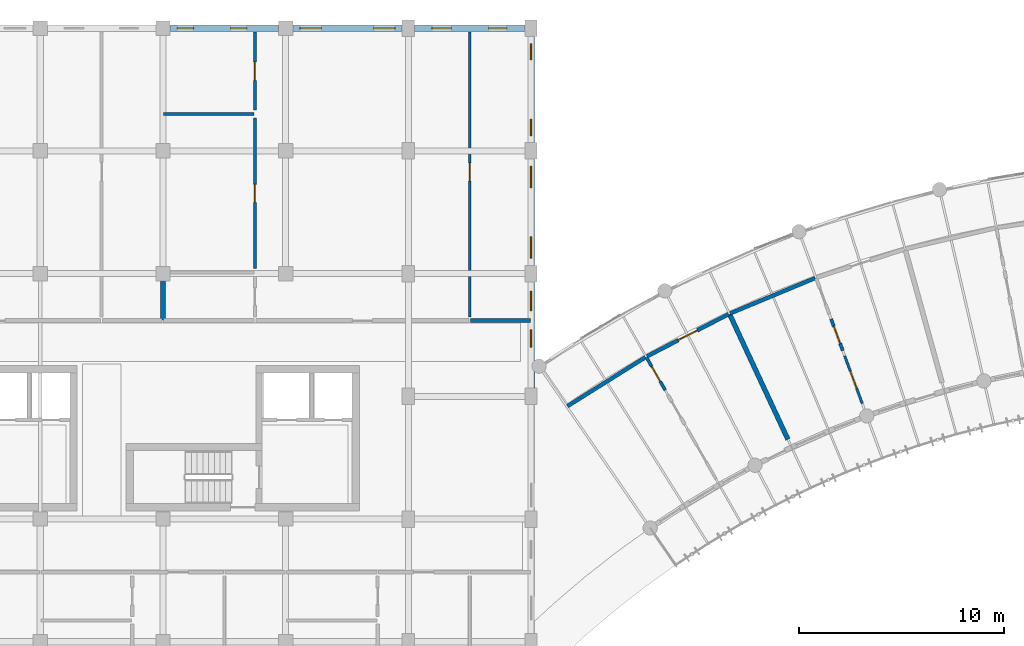
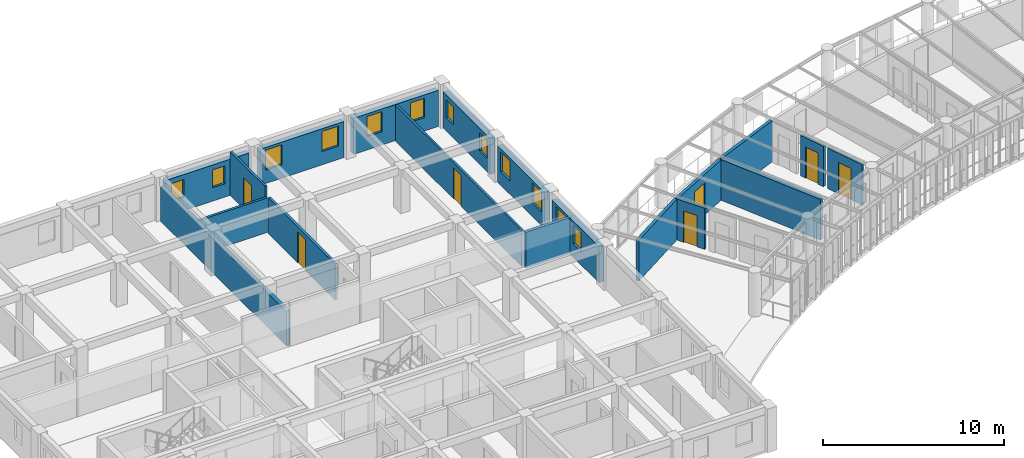
# One storey, part 105 of 137: 19 walls, 12 windows, 7 doors, 19 openings.
"""IFC4 building model written with IfcOpenShell, lengths in metres."""

import ifcopenshell
import ifcopenshell.guid

model = None  # the IFC model being written
_history = None  # IfcOwnerHistory: only IFC2X3 demands one
_inside = {}  # id of a spatial element -> (the spatial element, [elements in it])
_under = {}  # id of a project, library or spatial element -> (it, [spatial elements below it])
_declared = {}  # id of a project -> (the project, [libraries it declares])
_typed = {}  # id of a type object -> (the type object, [elements of that type])
_made_of = {}  # id of a material, layer set ... -> (it, [elements and type objects made of it])


def new_model(schema):
    """Start an empty IFC model of exactly this schema.

    Asked for "IFC4X3", IfcOpenShell would pick the latest addendum, in which some entities
    have other attributes; the version numbers below select the first issue.
    IFC2X3 requires an IfcOwnerHistory on every rooted entity: one is made here for all.
    """
    global model, _history
    if schema == "IFC4X3":
        model = ifcopenshell.file(schema_version=(4, 3, 0, 0))
    else:
        model = ifcopenshell.file(schema=schema)
    _inside.clear()
    _under.clear()
    _declared.clear()
    _typed.clear()
    _made_of.clear()
    _history = None
    if model.schema == "IFC2X3":
        org = make("IfcOrganization", Name="unknown")
        user = make(
            "IfcPersonAndOrganization",
            ThePerson=make("IfcPerson", FamilyName="unknown"),
            TheOrganization=org,
        )
        app = make(
            "IfcApplication",
            ApplicationDeveloper=org,
            Version="unknown",
            ApplicationFullName="unknown",
            ApplicationIdentifier="unknown",
        )
        _history = make(
            "IfcOwnerHistory",
            OwningUser=user,
            OwningApplication=app,
            ChangeAction="ADDED",
            CreationDate=0,
        )
    return model


def make(cls, **values):
    """One entity of the class cls with the attributes given. An attribute that is None is left unset."""
    return model.create_entity(
        cls, **{name: value for name, value in values.items() if value is not None}
    )


def rooted(cls, **values):
    """An entity with a GlobalId (a new one), such as an element, a storey or a relation."""
    return make(cls, GlobalId=ifcopenshell.guid.new(), OwnerHistory=_history, **values)


def si_unit(unit_type, name, prefix=None):
    """IfcSIUnit, for example si_unit("LENGTHUNIT", "METRE", prefix="MILLI")."""
    return make("IfcSIUnit", UnitType=unit_type, Prefix=prefix, Name=name)


def assignment(units):
    """IfcUnitAssignment: the units of a project."""
    return None if units is None else make("IfcUnitAssignment", Units=units)


def point(xyz):
    """IfcCartesianPoint."""
    return None if xyz is None else make("IfcCartesianPoint", Coordinates=xyz)


def direction(xyz):
    """IfcDirection."""
    return None if xyz is None else make("IfcDirection", DirectionRatios=xyz)


def frame(location, z_axis=None, x_axis=None):
    """IfcAxis2Placement3D, a coordinate frame: its origin and axes. An axis left out is left unset."""
    return make(
        "IfcAxis2Placement3D",
        Location=point(location),
        Axis=direction(z_axis),
        RefDirection=direction(x_axis),
    )


def frame_2d(location, x_axis=None):
    """IfcAxis2Placement2D, a coordinate frame in the plane: its origin and x axis."""
    return make(
        "IfcAxis2Placement2D", Location=point(location), RefDirection=direction(x_axis)
    )


def origin():
    """The frame at (0, 0, 0) with its axes left unset."""
    return frame((0.0, 0.0, 0.0))


def place(relative_to, where):
    """IfcLocalPlacement: puts the frame where relative to a parent placement (None: the world)."""
    return make(
        "IfcLocalPlacement", PlacementRelTo=relative_to, RelativePlacement=where
    )


def context(
    kind, dimensions, precision=None, world=None, true_north=None, identifier=None
):
    """IfcGeometricRepresentationContext, for example the 3D "Model" context."""
    return make(
        "IfcGeometricRepresentationContext",
        ContextIdentifier=identifier,
        ContextType=kind,
        CoordinateSpaceDimension=dimensions,
        Precision=precision,
        WorldCoordinateSystem=world,
        TrueNorth=true_north,
    )


def subcontext(parent, identifier, kind, view, scale=None):
    """IfcGeometricRepresentationSubContext, for example "Body" below "Model"."""
    return make(
        "IfcGeometricRepresentationSubContext",
        ContextIdentifier=identifier,
        ContextType=kind,
        ParentContext=parent,
        TargetScale=scale,
        TargetView=view,
    )


def project(units=None, contexts=None):
    """IfcProject with its units and contexts."""
    return rooted(
        "IfcProject",
        Name="project",
        RepresentationContexts=contexts,
        UnitsInContext=assignment(units),
    )


def spatial(cls, under=None, at=None, **own):
    """A site, building, storey or space (cls), placed at a placement, below another one or the project."""
    s = rooted(cls, ObjectPlacement=at, **own)
    if under is not None:
        _under.setdefault(under.id(), (under, []))[1].append(s)
    return s


def profile(cls, at=None, kind="AREA", **sizes):
    """A parametric profile (cls). Its sizes go by their IFC names, for example OverallWidth=200.0."""
    return make(cls, ProfileType=kind, Position=at, **sizes)


def rectangle(**sizes):
    """IfcRectangleProfileDef."""
    return profile("IfcRectangleProfileDef", **sizes)


def extrude(swept, where, along, depth):
    """IfcExtrudedAreaSolid: the profile swept, set in the frame where, extruded along a direction by depth."""
    return make(
        "IfcExtrudedAreaSolid",
        SweptArea=swept,
        Position=where,
        ExtrudedDirection=direction(along),
        Depth=depth,
    )


def shape(context_of_items, identifier, shape_type, items):
    """IfcShapeRepresentation: the items that make up one representation, for example the "Body"."""
    return make(
        "IfcShapeRepresentation",
        ContextOfItems=context_of_items,
        RepresentationIdentifier=identifier,
        RepresentationType=shape_type,
        Items=items,
    )


def material(Name=None, Category=None):
    """IfcMaterial."""
    return make("IfcMaterial", Name=Name, Category=Category)


def layer(
    of_material, thickness, ventilated=None, Name=None, Category=None, Priority=None
):
    """IfcMaterialLayer: one layer of a wall or slab, of a material (None: an air gap)."""
    return make(
        "IfcMaterialLayer",
        Material=of_material,
        LayerThickness=thickness,
        IsVentilated=ventilated,
        Name=Name,
        Category=Category,
        Priority=Priority,
    )


def layer_set(layers, Name=None):
    """IfcMaterialLayerSet."""
    return make("IfcMaterialLayerSet", MaterialLayers=layers, LayerSetName=Name)


def made_of(thing, what):
    """Note that an element or type object is made of a material, layer set ...; save() writes the relation."""
    if what is not None:
        _made_of.setdefault(what.id(), (what, []))[1].append(thing)
    return thing


def type_object(cls, material=None, **own):
    """A type object (cls), such as IfcWallType, which elements share."""
    return made_of(rooted(cls, **own), material)


def element(
    cls,
    number,
    at=None,
    inside=None,
    cuts=None,
    type_object=None,
    material=None,
    context=None,
    identifier="Body",
    shape_type=None,
    held_by="IfcProductDefinitionShape",
    body=None,
    shapes=None,
    **own,
):
    """One element of the class cls, such as IfcWall. Its Tag is "e" and its number.

    at: its placement. inside: the storey or other place that contains it. cuts: it is an
    opening in that element (IfcRelVoidsElement). A single representation is given by context,
    identifier, shape_type and body (its items); several are given by shapes. held_by: the class
    of the entity that holds the representations. save() writes the other relations.
    """
    e = rooted(cls, Tag="e%d" % number, ObjectPlacement=at, **own)
    if body is not None:
        shapes = [shape(context, identifier, shape_type, body)]
    if shapes is not None:
        e.Representation = make(held_by, Representations=shapes)
    if inside is not None:
        _inside.setdefault(inside.id(), (inside, []))[1].append(e)
    if cuts is not None:
        rooted(
            "IfcRelVoidsElement", RelatingBuildingElement=cuts, RelatedOpeningElement=e
        )
    if type_object is not None:
        _typed.setdefault(type_object.id(), (type_object, []))[1].append(e)
    return made_of(e, material)


def fill(opening, filler):
    """IfcRelFillsElement: the door or window that sits in an opening."""
    return rooted(
        "IfcRelFillsElement",
        RelatingOpeningElement=opening,
        RelatedBuildingElement=filler,
    )


def aggregate(whole, parts):
    """IfcRelAggregates: a whole, such as a stair, and the parts it consists of."""
    return rooted("IfcRelAggregates", RelatingObject=whole, RelatedObjects=parts)


def save(model, path):
    """Write the relations noted so far, then the file.

    IfcRelAggregates (storeys below a building ...), IfcRelContainedInSpatialStructure (elements
    in a storey), IfcRelDefinesByType, IfcRelAssociatesMaterial and IfcRelDeclares: one each for
    every whole, place, type object, material and project.
    """
    for whole, parts in _under.values():
        aggregate(whole, parts)
    for where, things in _inside.values():
        rooted(
            "IfcRelContainedInSpatialStructure",
            RelatedElements=things,
            RelatingStructure=where,
        )
    for kind, things in _typed.values():
        rooted("IfcRelDefinesByType", RelatedObjects=things, RelatingType=kind)
    for what, things in _made_of.values():
        rooted("IfcRelAssociatesMaterial", RelatedObjects=things, RelatingMaterial=what)
    for by, libraries in _declared.values():
        rooted("IfcRelDeclares", RelatingContext=by, RelatedDefinitions=libraries)
    model.write(path)


model = new_model("IFC4")

# Units and contexts
model_context = context("Model", 3, precision=1e-05, world=origin(), true_north=direction((0.0, 1.0)))
body_context = subcontext(model_context, "Body", "Model", "MODEL_VIEW")
ifc_project = project(units=[si_unit("LENGTHUNIT", "METRE"), si_unit("AREAUNIT", "SQUARE_METRE"), si_unit("VOLUMEUNIT", "CUBIC_METRE"), si_unit("PLANEANGLEUNIT", "RADIAN"), si_unit("MASSUNIT", "GRAM", prefix="KILO"), si_unit("POWERUNIT", "WATT"), si_unit("THERMODYNAMICTEMPERATUREUNIT", "KELVIN")], contexts=[model_context])

# Site, building, storey
site_placement = place(None, origin())
site = spatial("IfcSite", under=ifc_project, at=site_placement, CompositionType="ELEMENT")
building_placement = place(site_placement, origin())
building = spatial("IfcBuilding", under=site, at=building_placement, Name="Ruvembo Vaulted Housing Court", CompositionType="ELEMENT")
storey_placement = place(building_placement, frame((0.0, 0.0, 4.5)))
storey = spatial("IfcBuildingStorey", under=building, at=storey_placement, Name="L01", CompositionType="ELEMENT", Elevation=4.5)

# Walls
ifc_material_1 = material(Name="Concrete Blockwork 190", Category="masonry")
ifc_layer_1 = layer(ifc_material_1, 0.18994140625, Name="Concrete Blockwork 190")
ifc_layer_set_1 = layer_set([ifc_layer_1], Name="Concrete Blockwork 190")
wall_type_1 = type_object("IfcWallType", Name="WL-CORR-190", PredefinedType="SOLIDWALL", material=ifc_layer_set_1)
wall_1_placement = place(storey_placement, frame((81.0400390625, 99.699951171875, 0.0), z_axis=(0.0, 0.0, 1.0), x_axis=(1.0, 0.0, 0.0)))
element("IfcWall", 1, at=wall_1_placement, inside=storey, type_object=wall_type_1, Name="L01 Flat B-L01-N2 Corridor Wall 2 WL-INT-L01-00272", PredefinedType="SOLIDWALL", context=body_context, shape_type="SweptSolid", body=[
    extrude(rectangle(XDim=2.919921875, YDim=0.18994140625, at=frame_2d((1.4599609375, 0.0))), origin(), (0.0, 0.0, 1.0), 2.427001953125),
])
wall_2_placement = place(storey_placement, frame((85.779052734375, 95.5205078125, 0.0), z_axis=(0.0, 0.0, 1.0), x_axis=(0.847037081085, 0.531533802563, 0.0)))
element("IfcWall", 2, at=wall_2_placement, inside=storey, type_object=wall_type_1, Name="L01 Suite SC3-L01-U1 Gallery Wall WL-INT-L01-00440", PredefinedType="SOLIDWALL", context=body_context, shape_type="SweptSolid", body=[
    extrude(rectangle(XDim=4.501220703125, YDim=0.18994140625, at=frame_2d((2.25048828125, 0.0))), origin(), (0.0, 0.0, 1.0), 2.741943359375),
])

# Wall, opening, door
wall_3_placement = place(storey_placement, frame((89.661376953125, 97.95263671875, 0.0), z_axis=(0.0, 0.0, 1.0), x_axis=(0.888203141908, 0.459450953536, 0.0)))
wall_3 = element("IfcWall", 3, at=wall_3_placement, inside=storey, type_object=wall_type_1, Name="L01 Suite SC3-L01-U1 Entrance WL-INT-L01-00441", PredefinedType="SOLIDWALL", context=body_context, shape_type="SweptSolid", body=[
    extrude(rectangle(XDim=4.501220703125, YDim=0.18994140625, at=frame_2d((2.25048828125, 0.0))), origin(), (0.0, 0.0, 1.0), 2.721923828125),
])
opening_1_placement = place(wall_3_placement, frame((1.7255859375, 0.0, 0.0)))
opening_1 = element("IfcOpeningElement", 4, at=opening_1_placement, cuts=wall_3, Name="Opening FD3", PredefinedType="OPENING", context=body_context, shape_type="SweptSolid", body=[
    extrude(rectangle(XDim=1.050048828125, YDim=2.14990234375, at=frame_2d((0.52490234375, 1.074951171875))), frame((0.0, 0.10498046875, 0.0), z_axis=(0.0, -1.0, 0.0), x_axis=(1.0, 0.0, 0.0)), (0.0, 0.0, 1.0), 0.2099609375),
])
ifc_material_2 = material(Name="FSC Hardwood and Engineered Timber", Category="wood")
door_type_1 = type_object("IfcDoorType", Name="DR-FLAT-1050x2150", OperationType="NOTDEFINED", PredefinedType="DOOR", material=ifc_material_2)
door_1_placement = place(opening_1_placement, origin())
door_1 = element("IfcDoor", 5, at=door_1_placement, inside=storey, type_object=door_type_1, Name="L01 Suite SC3-L01-U1 Entrance Door DR-INT-L01-00236", OperationType="SINGLE_SWING_RIGHT", OverallHeight=2.14990234375, OverallWidth=1.050048828125, PredefinedType="DOOR", context=body_context, shape_type="SweptSolid", body=[
    extrude(rectangle(XDim=1.050048828125, YDim=2.14990234375, at=frame_2d((0.52490234375, 1.074951171875))), frame((0.0, 0.02490234375, 0.0), z_axis=(0.0, -1.0, 0.0), x_axis=(1.0, 0.0, 0.0)), (0.0, 0.0, 1.0), 0.050048828125),
])
fill(opening_1, door_1)

# Walls
wall_4_placement = place(storey_placement, frame((93.73193359375, 100.0546875, 0.0), z_axis=(0.0, 0.0, 1.0), x_axis=(0.923267760269, 0.384157054925, 0.0)))
element("IfcWall", 6, at=wall_4_placement, inside=storey, type_object=wall_type_1, Name="L01 Suite SC3-L01-U2 Gallery Wall WL-INT-L01-00446", PredefinedType="SOLIDWALL", context=body_context, shape_type="SweptSolid", body=[
    extrude(rectangle(XDim=4.50146484375, YDim=0.18994140625, at=frame_2d((2.250732421875, 0.0))), origin(), (0.0, 0.0, 1.0), 2.761962890625),
])
ifc_material_3 = material(Name="Acoustic Masonry Demising 230", Category="masonry")
ifc_layer_2 = layer(ifc_material_3, 0.22998046875, Name="Acoustic Masonry Demising 230")
ifc_layer_set_2 = layer_set([ifc_layer_2], Name="Acoustic Masonry Demising 230")
wall_type_2 = type_object("IfcWallType", Name="WL-DEM-230", PredefinedType="SOLIDWALL", material=ifc_layer_set_2)
wall_5_placement = place(storey_placement, frame((66.0, 99.739990234375, 0.0), z_axis=(0.0, 0.0, 1.0), x_axis=(0.0, 1.0, 0.0)))
element("IfcWall", 7, at=wall_5_placement, inside=storey, type_object=wall_type_2, Name="L01 Demising B-L01-N1 WL-INT-L01-00255", PredefinedType="SOLIDWALL", context=body_context, shape_type="SweptSolid", body=[
    extrude(rectangle(XDim=13.8701171875, YDim=0.22998046875, at=frame_2d((6.93505859375, 0.0))), origin(), (0.0, 0.0, 1.0), 2.326904296875),
])
wall_6_placement = place(storey_placement, frame((96.555908203125, 93.896728515625, 0.0), z_axis=(0.0, 0.0, 1.0), x_axis=(-0.422206763189, 0.906499558256, 0.0)))
element("IfcWall", 8, at=wall_6_placement, inside=storey, type_object=wall_type_2, Name="L01 Suite SC3-L01-U1 Demising WL-INT-L01-00445", PredefinedType="SOLIDWALL", context=body_context, shape_type="SweptSolid", body=[
    extrude(rectangle(XDim=6.736083984375, YDim=0.22998046875, at=frame_2d((3.3681640625, 0.0))), origin(), (0.0, 0.0, 1.0), 2.741943359375),
])

# Wall, openings, windows
ifc_material_4 = material(Name="Rendered Masonry 320", Category="masonry")
ifc_layer_3 = layer(ifc_material_4, 0.320068359375, Name="Rendered Masonry 320")
ifc_layer_set_3 = layer_set([ifc_layer_3], Name="Rendered Masonry 320")
wall_type_3 = type_object("IfcWallType", Name="WL-EXT-320", PredefinedType="STANDARD", material=ifc_layer_set_3)
wall_7_placement = place(storey_placement, frame((84.0, 96.39990234375, 0.0), z_axis=(0.0, 0.0, 1.0), x_axis=(0.0, 1.0, 0.0)))
wall_7 = element("IfcWall", 9, at=wall_7_placement, inside=storey, type_object=wall_type_3, Name="Block B L01 Exterior Wall EAST #4", PredefinedType="STANDARD", context=body_context, shape_type="SweptSolid", body=[
    extrude(rectangle(XDim=5.2001953125, YDim=0.320068359375, at=frame_2d((2.60009765625, 0.0))), origin(), (0.0, 0.0, 1.0), 2.427001953125),
])
opening_2_placement = place(wall_7_placement, frame((2.003662109375, 0.0, 0.89990234375)))
opening_2 = element("IfcOpeningElement", 10, at=opening_2_placement, cuts=wall_7, Name="Opening W03", PredefinedType="OPENING", context=body_context, shape_type="SweptSolid", body=[
    extrude(rectangle(XDim=0.85009765625, YDim=1.25, at=frame_2d((0.425048828125, 0.625))), frame((0.0, 0.169921875, 0.0), z_axis=(0.0, -1.0, 0.0), x_axis=(1.0, 0.0, 0.0)), (0.0, 0.0, 1.0), 0.340087890625),
])
opening_3_placement = place(wall_7_placement, frame((3.794921875, 0.0, 0.89990234375)))
opening_3 = element("IfcOpeningElement", 11, at=opening_3_placement, cuts=wall_7, Name="Opening W07", PredefinedType="OPENING", context=body_context, shape_type="SweptSolid", body=[
    extrude(rectangle(XDim=0.949951171875, YDim=1.35009765625, at=frame_2d((0.47509765625, 0.675048828125))), frame((0.0, 0.169921875, 0.0), z_axis=(0.0, -1.0, 0.0), x_axis=(1.0, 0.0, 0.0)), (0.0, 0.0, 1.0), 0.340087890625),
])
ifc_material_5 = material(Name="Double Solar-Control Glazing in Aluminium Frame", Category="aluminium")
window_type_1 = type_object("IfcWindowType", Name="WIN-0850x1250", PartitioningType="SINGLE_PANEL", PredefinedType="WINDOW", material=ifc_material_5)
window_1_placement = place(opening_2_placement, origin())
window_1 = element("IfcWindow", 12, at=window_1_placement, inside=storey, type_object=window_type_1, Name="Block B L01 Window #656", OverallHeight=1.25, OverallWidth=0.85009765625, PartitioningType="SINGLE_PANEL", PredefinedType="WINDOW", context=body_context, shape_type="SweptSolid", body=[
    extrude(rectangle(XDim=0.85009765625, YDim=1.25, at=frame_2d((0.425048828125, 0.625))), frame((0.0, 0.030029296875, 0.0), z_axis=(0.0, -1.0, 0.0), x_axis=(1.0, 0.0, 0.0)), (0.0, 0.0, 1.0), 0.06005859375),
])
fill(opening_2, window_1)
window_type_2 = type_object("IfcWindowType", Name="WIN-0950x1350", PartitioningType="SINGLE_PANEL", PredefinedType="WINDOW", material=ifc_material_5)
window_2_placement = place(opening_3_placement, origin())
window_2 = element("IfcWindow", 13, at=window_2_placement, inside=storey, type_object=window_type_2, Name="Block B L01 Window #657", OverallHeight=1.35009765625, OverallWidth=0.949951171875, PartitioningType="SINGLE_PANEL", PredefinedType="WINDOW", context=body_context, shape_type="SweptSolid", body=[
    extrude(rectangle(XDim=0.949951171875, YDim=1.35009765625, at=frame_2d((0.47509765625, 0.675048828125))), frame((0.0, 0.030029296875, 0.0), z_axis=(0.0, -1.0, 0.0), x_axis=(1.0, 0.0, 0.0)), (0.0, 0.0, 1.0), 0.06005859375),
])
fill(opening_3, window_2)

wall_8_placement = place(storey_placement, frame((84.0, 102.39990234375, 0.0), z_axis=(0.0, 0.0, 1.0), x_axis=(0.0, 1.0, 0.0)))
wall_8 = element("IfcWall", 14, at=wall_8_placement, inside=storey, type_object=wall_type_3, Name="Block B L01 Exterior Wall EAST #5", PredefinedType="STANDARD", context=body_context, shape_type="SweptSolid", body=[
    extrude(rectangle(XDim=5.2001953125, YDim=0.320068359375, at=frame_2d((2.60009765625, 0.0))), origin(), (0.0, 0.0, 1.0), 2.427001953125),
])
opening_4_placement = place(wall_8_placement, frame((0.35009765625, 0.0, 0.89990234375)))
opening_4 = element("IfcOpeningElement", 15, at=opening_4_placement, cuts=wall_8, Name="Opening W09", PredefinedType="OPENING", context=body_context, shape_type="SweptSolid", body=[
    extrude(rectangle(XDim=1.050048828125, YDim=1.35009765625, at=frame_2d((0.52490234375, 0.675048828125))), frame((0.0, 0.169921875, 0.0), z_axis=(0.0, -1.0, 0.0), x_axis=(1.0, 0.0, 0.0)), (0.0, 0.0, 1.0), 0.340087890625),
])
opening_5_placement = place(wall_8_placement, frame((3.800048828125, 0.0, 0.89990234375)))
opening_5 = element("IfcOpeningElement", 16, at=opening_5_placement, cuts=wall_8, Name="Opening W09", PredefinedType="OPENING", context=body_context, shape_type="SweptSolid", body=[
    extrude(rectangle(XDim=1.050048828125, YDim=1.35009765625, at=frame_2d((0.52490234375, 0.675048828125))), frame((0.0, 0.169921875, 0.0), z_axis=(0.0, -1.0, 0.0), x_axis=(1.0, 0.0, 0.0)), (0.0, 0.0, 1.0), 0.340087890625),
])
window_type_3 = type_object("IfcWindowType", Name="WIN-1050x1350", PartitioningType="SINGLE_PANEL", PredefinedType="WINDOW", material=ifc_material_5)
window_3_placement = place(opening_4_placement, origin())
window_3 = element("IfcWindow", 17, at=window_3_placement, inside=storey, type_object=window_type_3, Name="Block B L01 Window #658", OverallHeight=1.35009765625, OverallWidth=1.050048828125, PartitioningType="SINGLE_PANEL", PredefinedType="WINDOW", context=body_context, shape_type="SweptSolid", body=[
    extrude(rectangle(XDim=1.050048828125, YDim=1.35009765625, at=frame_2d((0.52490234375, 0.675048828125))), frame((0.0, 0.030029296875, 0.0), z_axis=(0.0, -1.0, 0.0), x_axis=(1.0, 0.0, 0.0)), (0.0, 0.0, 1.0), 0.06005859375),
])
fill(opening_4, window_3)
window_4_placement = place(opening_5_placement, origin())
window_4 = element("IfcWindow", 18, at=window_4_placement, inside=storey, type_object=window_type_3, Name="Block B L01 Window #659", OverallHeight=1.35009765625, OverallWidth=1.050048828125, PartitioningType="SINGLE_PANEL", PredefinedType="WINDOW", context=body_context, shape_type="SweptSolid", body=[
    extrude(rectangle(XDim=1.050048828125, YDim=1.35009765625, at=frame_2d((0.52490234375, 0.675048828125))), frame((0.0, 0.030029296875, 0.0), z_axis=(0.0, -1.0, 0.0), x_axis=(1.0, 0.0, 0.0)), (0.0, 0.0, 1.0), 0.06005859375),
])
fill(opening_5, window_4)

wall_9_placement = place(storey_placement, frame((84.0, 108.39990234375, 0.0), z_axis=(0.0, 0.0, 1.0), x_axis=(0.0, 1.0, 0.0)))
wall_9 = element("IfcWall", 19, at=wall_9_placement, inside=storey, type_object=wall_type_3, Name="Block B L01 Exterior Wall EAST #6", PredefinedType="STANDARD", context=body_context, shape_type="SweptSolid", body=[
    extrude(rectangle(XDim=5.2001953125, YDim=0.320068359375, at=frame_2d((2.60009765625, 0.0))), origin(), (0.0, 0.0, 1.0), 2.427001953125),
])
opening_6_placement = place(wall_9_placement, frame((0.35009765625, 0.0, 0.89990234375)))
opening_6 = element("IfcOpeningElement", 20, at=opening_6_placement, cuts=wall_9, Name="Opening W02", PredefinedType="OPENING", context=body_context, shape_type="SweptSolid", body=[
    extrude(rectangle(XDim=0.800048828125, YDim=1.199951171875, at=frame_2d((0.39990234375, 0.60009765625))), frame((0.0, 0.169921875, 0.0), z_axis=(0.0, -1.0, 0.0), x_axis=(1.0, 0.0, 0.0)), (0.0, 0.0, 1.0), 0.340087890625),
])
opening_7_placement = place(wall_9_placement, frame((4.050048828125, 0.0, 0.89990234375)))
opening_7 = element("IfcOpeningElement", 21, at=opening_7_placement, cuts=wall_9, Name="Opening W02", PredefinedType="OPENING", context=body_context, shape_type="SweptSolid", body=[
    extrude(rectangle(XDim=0.800048828125, YDim=1.199951171875, at=frame_2d((0.39990234375, 0.60009765625))), frame((0.0, 0.169921875, 0.0), z_axis=(0.0, -1.0, 0.0), x_axis=(1.0, 0.0, 0.0)), (0.0, 0.0, 1.0), 0.340087890625),
])
window_type_4 = type_object("IfcWindowType", Name="WIN-0800x1200", PartitioningType="SINGLE_PANEL", PredefinedType="WINDOW", material=ifc_material_5)
window_5_placement = place(opening_6_placement, origin())
window_5 = element("IfcWindow", 22, at=window_5_placement, inside=storey, type_object=window_type_4, Name="Block B L01 Window #660", OverallHeight=1.199951171875, OverallWidth=0.800048828125, PartitioningType="SINGLE_PANEL", PredefinedType="WINDOW", context=body_context, shape_type="SweptSolid", body=[
    extrude(rectangle(XDim=0.800048828125, YDim=1.199951171875, at=frame_2d((0.39990234375, 0.60009765625))), frame((0.0, 0.030029296875, 0.0), z_axis=(0.0, -1.0, 0.0), x_axis=(1.0, 0.0, 0.0)), (0.0, 0.0, 1.0), 0.06005859375),
])
fill(opening_6, window_5)
window_6_placement = place(opening_7_placement, origin())
window_6 = element("IfcWindow", 23, at=window_6_placement, inside=storey, type_object=window_type_4, Name="Block B L01 Window #661", OverallHeight=1.199951171875, OverallWidth=0.800048828125, PartitioningType="SINGLE_PANEL", PredefinedType="WINDOW", context=body_context, shape_type="SweptSolid", body=[
    extrude(rectangle(XDim=0.800048828125, YDim=1.199951171875, at=frame_2d((0.39990234375, 0.60009765625))), frame((0.0, 0.030029296875, 0.0), z_axis=(0.0, -1.0, 0.0), x_axis=(1.0, 0.0, 0.0)), (0.0, 0.0, 1.0), 0.06005859375),
])
fill(opening_7, window_6)

wall_10_placement = place(storey_placement, frame((83.699951171875, 114.0, 0.0), z_axis=(0.0, 0.0, 1.0), x_axis=(-1.0, 0.0, 0.0)))
wall_10 = element("IfcWall", 24, at=wall_10_placement, inside=storey, type_object=wall_type_3, Name="Block B L01 Exterior Wall STREET #1", PredefinedType="STANDARD", context=body_context, shape_type="SweptSolid", body=[
    extrude(rectangle(XDim=5.39990234375, YDim=0.320068359375, at=frame_2d((2.699951171875, 0.0))), origin(), (0.0, 0.0, 1.0), 2.427001953125),
])
opening_8_placement = place(wall_10_placement, frame((0.8798828125, 0.0, 0.89990234375)))
opening_8 = element("IfcOpeningElement", 25, at=opening_8_placement, cuts=wall_10, Name="Opening W04", PredefinedType="OPENING", context=body_context, shape_type="SweptSolid", body=[
    extrude(rectangle(XDim=0.89990234375, YDim=1.300048828125, at=frame_2d((0.449951171875, 0.64990234375))), frame((0.0, 0.169921875, 0.0), z_axis=(0.0, -1.0, 0.0), x_axis=(1.0, 0.0, 0.0)), (0.0, 0.0, 1.0), 0.340087890625),
])
opening_9_placement = place(wall_10_placement, frame((3.594970703125, 0.0, 0.89990234375)))
opening_9 = element("IfcOpeningElement", 26, at=opening_9_placement, cuts=wall_10, Name="Opening W07", PredefinedType="OPENING", context=body_context, shape_type="SweptSolid", body=[
    extrude(rectangle(XDim=0.949951171875, YDim=1.35009765625, at=frame_2d((0.47509765625, 0.675048828125))), frame((0.0, 0.169921875, 0.0), z_axis=(0.0, -1.0, 0.0), x_axis=(1.0, 0.0, 0.0)), (0.0, 0.0, 1.0), 0.340087890625),
])
window_type_5 = type_object("IfcWindowType", Name="WIN-0900x1300", PartitioningType="SINGLE_PANEL", PredefinedType="WINDOW", material=ifc_material_5)
window_7_placement = place(opening_8_placement, origin())
window_7 = element("IfcWindow", 27, at=window_7_placement, inside=storey, type_object=window_type_5, Name="Block B L01 Window #662", OverallHeight=1.300048828125, OverallWidth=0.89990234375, PartitioningType="SINGLE_PANEL", PredefinedType="WINDOW", context=body_context, shape_type="SweptSolid", body=[
    extrude(rectangle(XDim=0.89990234375, YDim=1.300048828125, at=frame_2d((0.449951171875, 0.64990234375))), frame((0.0, 0.030029296875, 0.0), z_axis=(0.0, -1.0, 0.0), x_axis=(1.0, 0.0, 0.0)), (0.0, 0.0, 1.0), 0.06005859375),
])
fill(opening_8, window_7)
window_8_placement = place(opening_9_placement, origin())
window_8 = element("IfcWindow", 28, at=window_8_placement, inside=storey, type_object=window_type_2, Name="Block B L01 Window #663", OverallHeight=1.35009765625, OverallWidth=0.949951171875, PartitioningType="SINGLE_PANEL", PredefinedType="WINDOW", context=body_context, shape_type="SweptSolid", body=[
    extrude(rectangle(XDim=0.949951171875, YDim=1.35009765625, at=frame_2d((0.47509765625, 0.675048828125))), frame((0.0, 0.030029296875, 0.0), z_axis=(0.0, -1.0, 0.0), x_axis=(1.0, 0.0, 0.0)), (0.0, 0.0, 1.0), 0.06005859375),
])
fill(opening_9, window_8)

wall_11_placement = place(storey_placement, frame((77.699951171875, 114.0, 0.0), z_axis=(0.0, 0.0, 1.0), x_axis=(-1.0, 0.0, 0.0)))
wall_11 = element("IfcWall", 29, at=wall_11_placement, inside=storey, type_object=wall_type_3, Name="Block B L01 Exterior Wall STREET #2", PredefinedType="STANDARD", context=body_context, shape_type="SweptSolid", body=[
    extrude(rectangle(XDim=5.349853515625, YDim=0.320068359375, at=frame_2d((2.6748046875, 0.0))), origin(), (0.0, 0.0, 1.0), 2.427001953125),
])
opening_10_placement = place(wall_11_placement, frame((0.35009765625, 0.0, 0.89990234375)))
opening_10 = element("IfcOpeningElement", 30, at=opening_10_placement, cuts=wall_11, Name="Opening W09", PredefinedType="OPENING", context=body_context, shape_type="SweptSolid", body=[
    extrude(rectangle(XDim=1.050048828125, YDim=1.35009765625, at=frame_2d((0.52490234375, 0.675048828125))), frame((0.0, 0.169921875, 0.0), z_axis=(0.0, -1.0, 0.0), x_axis=(1.0, 0.0, 0.0)), (0.0, 0.0, 1.0), 0.340087890625),
])
opening_11_placement = place(wall_11_placement, frame((3.949951171875, 0.0, 0.89990234375)))
opening_11 = element("IfcOpeningElement", 31, at=opening_11_placement, cuts=wall_11, Name="Opening W09", PredefinedType="OPENING", context=body_context, shape_type="SweptSolid", body=[
    extrude(rectangle(XDim=1.050048828125, YDim=1.35009765625, at=frame_2d((0.52490234375, 0.675048828125))), frame((0.0, 0.169921875, 0.0), z_axis=(0.0, -1.0, 0.0), x_axis=(1.0, 0.0, 0.0)), (0.0, 0.0, 1.0), 0.340087890625),
])
window_9_placement = place(opening_10_placement, origin())
window_9 = element("IfcWindow", 32, at=window_9_placement, inside=storey, type_object=window_type_3, Name="Block B L01 Window #664", OverallHeight=1.35009765625, OverallWidth=1.050048828125, PartitioningType="SINGLE_PANEL", PredefinedType="WINDOW", context=body_context, shape_type="SweptSolid", body=[
    extrude(rectangle(XDim=1.050048828125, YDim=1.35009765625, at=frame_2d((0.52490234375, 0.675048828125))), frame((0.0, 0.030029296875, 0.0), z_axis=(0.0, -1.0, 0.0), x_axis=(1.0, 0.0, 0.0)), (0.0, 0.0, 1.0), 0.06005859375),
])
fill(opening_10, window_9)
window_10_placement = place(opening_11_placement, origin())
window_10 = element("IfcWindow", 33, at=window_10_placement, inside=storey, type_object=window_type_3, Name="Block B L01 Window #665", OverallHeight=1.35009765625, OverallWidth=1.050048828125, PartitioningType="SINGLE_PANEL", PredefinedType="WINDOW", context=body_context, shape_type="SweptSolid", body=[
    extrude(rectangle(XDim=1.050048828125, YDim=1.35009765625, at=frame_2d((0.52490234375, 0.675048828125))), frame((0.0, 0.030029296875, 0.0), z_axis=(0.0, -1.0, 0.0), x_axis=(1.0, 0.0, 0.0)), (0.0, 0.0, 1.0), 0.06005859375),
])
fill(opening_11, window_10)

wall_12_placement = place(storey_placement, frame((71.64990234375, 114.0, 0.0), z_axis=(0.0, 0.0, 1.0), x_axis=(-1.0, 0.0, 0.0)))
wall_12 = element("IfcWall", 34, at=wall_12_placement, inside=storey, type_object=wall_type_3, Name="Block B L01 Exterior Wall STREET #3", PredefinedType="STANDARD", context=body_context, shape_type="SweptSolid", body=[
    extrude(rectangle(XDim=5.2998046875, YDim=0.320068359375, at=frame_2d((2.64990234375, 0.0))), origin(), (0.0, 0.0, 1.0), 2.427001953125),
])
opening_12_placement = place(wall_12_placement, frame((1.5400390625, 0.0, 0.89990234375)))
opening_12 = element("IfcOpeningElement", 35, at=opening_12_placement, cuts=wall_12, Name="Opening W02", PredefinedType="OPENING", context=body_context, shape_type="SweptSolid", body=[
    extrude(rectangle(XDim=0.800048828125, YDim=1.199951171875, at=frame_2d((0.39990234375, 0.60009765625))), frame((0.0, 0.169921875, 0.0), z_axis=(0.0, -1.0, 0.0), x_axis=(1.0, 0.0, 0.0)), (0.0, 0.0, 1.0), 0.340087890625),
])
opening_13_placement = place(wall_12_placement, frame((4.14990234375, 0.0, 0.89990234375)))
opening_13 = element("IfcOpeningElement", 36, at=opening_13_placement, cuts=wall_12, Name="Opening W02", PredefinedType="OPENING", context=body_context, shape_type="SweptSolid", body=[
    extrude(rectangle(XDim=0.800048828125, YDim=1.199951171875, at=frame_2d((0.39990234375, 0.60009765625))), frame((0.0, 0.169921875, 0.0), z_axis=(0.0, -1.0, 0.0), x_axis=(1.0, 0.0, 0.0)), (0.0, 0.0, 1.0), 0.340087890625),
])
window_11_placement = place(opening_12_placement, origin())
window_11 = element("IfcWindow", 37, at=window_11_placement, inside=storey, type_object=window_type_4, Name="Block B L01 Window #666", OverallHeight=1.199951171875, OverallWidth=0.800048828125, PartitioningType="SINGLE_PANEL", PredefinedType="WINDOW", context=body_context, shape_type="SweptSolid", body=[
    extrude(rectangle(XDim=0.800048828125, YDim=1.199951171875, at=frame_2d((0.39990234375, 0.60009765625))), frame((0.0, 0.030029296875, 0.0), z_axis=(0.0, -1.0, 0.0), x_axis=(1.0, 0.0, 0.0)), (0.0, 0.0, 1.0), 0.06005859375),
])
fill(opening_12, window_11)
window_12_placement = place(opening_13_placement, origin())
window_12 = element("IfcWindow", 38, at=window_12_placement, inside=storey, type_object=window_type_4, Name="Block B L01 Window #667", OverallHeight=1.199951171875, OverallWidth=0.800048828125, PartitioningType="SINGLE_PANEL", PredefinedType="WINDOW", context=body_context, shape_type="SweptSolid", body=[
    extrude(rectangle(XDim=0.800048828125, YDim=1.199951171875, at=frame_2d((0.39990234375, 0.60009765625))), frame((0.0, 0.030029296875, 0.0), z_axis=(0.0, -1.0, 0.0), x_axis=(1.0, 0.0, 0.0)), (0.0, 0.0, 1.0), 0.06005859375),
])
fill(opening_13, window_12)

# Wall, opening, door
ifc_material_6 = material(Name="Plasterboard Stud Partition 125", Category="gypsum")
ifc_layer_4 = layer(ifc_material_6, 0.125, Name="Plasterboard Stud Partition 125")
ifc_layer_set_4 = layer_set([ifc_layer_4], Name="Plasterboard Stud Partition 125")
wall_type_4 = type_object("IfcWallType", Name="WL-PART-125", PredefinedType="PARTITIONING", material=ifc_layer_set_4)
wall_13_placement = place(storey_placement, frame((100.18896484375, 95.651123046875, 0.0), z_axis=(0.0, 0.0, 1.0), x_axis=(-0.34555023948, 0.938400251489, 0.0)))
wall_13 = element("IfcWall", 39, at=wall_13_placement, inside=storey, type_object=wall_type_4, Name="L01 Suite SC3-L01-U2 Bedroom WL-INT-L01-00448", PredefinedType="PARTITIONING", context=body_context, shape_type="SweptSolid", body=[
    extrude(rectangle(XDim=2.47998046875, YDim=0.125, at=frame_2d((1.239990234375, 0.0))), origin(), (0.0, 0.0, 1.0), 2.721923828125),
])
opening_14_placement = place(wall_13_placement, frame((0.800048828125, 0.0, 0.0)))
opening_14 = element("IfcOpeningElement", 40, at=opening_14_placement, cuts=wall_13, Name="Opening ID3", PredefinedType="OPENING", context=body_context, shape_type="SweptSolid", body=[
    extrude(rectangle(XDim=0.8798828125, YDim=2.10009765625, at=frame_2d((0.43994140625, 1.050048828125))), frame((0.0, 0.072509765625, 0.0), z_axis=(0.0, -1.0, 0.0), x_axis=(1.0, 0.0, 0.0)), (0.0, 0.0, 1.0), 0.14501953125),
])
door_type_2 = type_object("IfcDoorType", Name="DR-ROOM-0880x2100", OperationType="NOTDEFINED", PredefinedType="DOOR", material=ifc_material_2)
door_2_placement = place(opening_14_placement, origin())
door_2 = element("IfcDoor", 41, at=door_2_placement, inside=storey, type_object=door_type_2, Name="L01 Suite SC3-L01-U2 Bedroom Door DR-INT-L01-00241", OperationType="SINGLE_SWING_LEFT", OverallHeight=2.10009765625, OverallWidth=0.8798828125, PredefinedType="DOOR", context=body_context, shape_type="SweptSolid", body=[
    extrude(rectangle(XDim=0.8798828125, YDim=2.10009765625, at=frame_2d((0.43994140625, 1.050048828125))), frame((0.0, 0.02490234375, 0.0), z_axis=(0.0, -1.0, 0.0), x_axis=(1.0, 0.0, 0.0)), (0.0, 0.0, 1.0), 0.050048828125),
])
fill(opening_14, door_2)

ifc_material_7 = material(Name="Acoustic Stud Partition 135", Category="gypsum")
ifc_layer_5 = layer(ifc_material_7, 0.135009765625, Name="Acoustic Stud Partition 135")
ifc_layer_set_5 = layer_set([ifc_layer_5], Name="Acoustic Stud Partition 135")
wall_type_5 = type_object("IfcWallType", Name="WL-PART-135", PredefinedType="PARTITIONING", material=ifc_layer_set_5)
wall_14_placement = place(storey_placement, frame((70.5, 109.989990234375, 0.0), z_axis=(0.0, 0.0, 1.0), x_axis=(0.0, 1.0, 0.0)))
wall_14 = element("IfcWall", 42, at=wall_14_placement, inside=storey, type_object=wall_type_5, Name="L01 Flat B-L01-N2 Bedroom 1 WL-INT-L01-00267", PredefinedType="PARTITIONING", context=body_context, shape_type="SweptSolid", body=[
    extrude(rectangle(XDim=3.820068359375, YDim=0.135009765625, at=frame_2d((1.91015625, 0.0))), origin(), (0.0, 0.0, 1.0), 2.945068359375),
])
opening_15_placement = place(wall_14_placement, frame((1.4599609375, 0.0, 0.0)))
opening_15 = element("IfcOpeningElement", 43, at=opening_15_placement, cuts=wall_14, Name="Opening ID1", PredefinedType="OPENING", context=body_context, shape_type="SweptSolid", body=[
    extrude(rectangle(XDim=0.89990234375, YDim=2.10009765625, at=frame_2d((0.449951171875, 1.050048828125))), frame((0.0, 0.077392578125, 0.0), z_axis=(0.0, -1.0, 0.0), x_axis=(1.0, 0.0, 0.0)), (0.0, 0.0, 1.0), 0.155029296875),
])
door_type_3 = type_object("IfcDoorType", Name="DR-ROOM-0900x2100", OperationType="NOTDEFINED", PredefinedType="DOOR", material=ifc_material_2)
door_3_placement = place(opening_15_placement, origin())
door_3 = element("IfcDoor", 44, at=door_3_placement, inside=storey, type_object=door_type_3, Name="L01 Flat B-L01-N2 Bedroom 1 Door DR-INT-L01-00134", OperationType="SINGLE_SWING_RIGHT", OverallHeight=2.10009765625, OverallWidth=0.89990234375, PredefinedType="DOOR", context=body_context, shape_type="SweptSolid", body=[
    extrude(rectangle(XDim=0.89990234375, YDim=2.10009765625, at=frame_2d((0.449951171875, 1.050048828125))), frame((0.0, 0.02490234375, 0.0), z_axis=(0.0, -1.0, 0.0), x_axis=(1.0, 0.0, 0.0)), (0.0, 0.0, 1.0), 0.050048828125),
])
fill(opening_15, door_3)

wall_15_placement = place(storey_placement, frame((81.0, 99.889892578125, 0.0), z_axis=(0.0, 0.0, 1.0), x_axis=(0.0, 1.0, 0.0)))
wall_15 = element("IfcWall", 45, at=wall_15_placement, inside=storey, type_object=wall_type_5, Name="L01 Flat B-L01-N2 Bedroom 2 WL-INT-L01-00273", PredefinedType="PARTITIONING", context=body_context, shape_type="SweptSolid", body=[
    extrude(rectangle(XDim=13.920166015625, YDim=0.135009765625, at=frame_2d((6.9599609375, 0.0))), origin(), (0.0, 0.0, 1.0), 2.427001953125),
])
opening_16_placement = place(wall_15_placement, frame((6.64990234375, 0.0, 0.0)))
opening_16 = element("IfcOpeningElement", 46, at=opening_16_placement, cuts=wall_15, Name="Opening ID3", PredefinedType="OPENING", context=body_context, shape_type="SweptSolid", body=[
    extrude(rectangle(XDim=0.8798828125, YDim=2.10009765625, at=frame_2d((0.43994140625, 1.050048828125))), frame((0.0, 0.077392578125, 0.0), z_axis=(0.0, -1.0, 0.0), x_axis=(1.0, 0.0, 0.0)), (0.0, 0.0, 1.0), 0.155029296875),
])
door_4_placement = place(opening_16_placement, origin())
door_4 = element("IfcDoor", 47, at=door_4_placement, inside=storey, type_object=door_type_2, Name="L01 Flat B-L01-N2 Bedroom 2 Door DR-INT-L01-00137", OperationType="SINGLE_SWING_LEFT", OverallHeight=2.10009765625, OverallWidth=0.8798828125, PredefinedType="DOOR", context=body_context, shape_type="SweptSolid", body=[
    extrude(rectangle(XDim=0.8798828125, YDim=2.10009765625, at=frame_2d((0.43994140625, 1.050048828125))), frame((0.0, 0.02490234375, 0.0), z_axis=(0.0, -1.0, 0.0), x_axis=(1.0, 0.0, 0.0)), (0.0, 0.0, 1.0), 0.050048828125),
])
fill(opening_16, door_4)

# Wall
ifc_material_8 = material(Name="Moisture-Resistant Wet Partition 150", Category="gypsum")
ifc_layer_6 = layer(ifc_material_8, 0.14990234375, Name="Moisture-Resistant Wet Partition 150")
ifc_layer_set_6 = layer_set([ifc_layer_6], Name="Moisture-Resistant Wet Partition 150")
wall_type_6 = type_object("IfcWallType", Name="WL-PART-150", PredefinedType="PARTITIONING", material=ifc_layer_set_6)
wall_16_placement = place(storey_placement, frame((66.0400390625, 109.800048828125, 0.0), z_axis=(0.0, 0.0, 1.0), x_axis=(1.0, 0.0, 0.0)))
element("IfcWall", 48, at=wall_16_placement, inside=storey, type_object=wall_type_6, Name="L01 Flat B-L01-N2 Wet Wall 1 WL-INT-L01-00270", PredefinedType="PARTITIONING", context=body_context, shape_type="SweptSolid", body=[
    extrude(rectangle(XDim=4.419921875, YDim=0.14990234375, at=frame_2d((2.2099609375, 0.0))), origin(), (0.0, 0.0, 1.0), 2.326904296875),
])

# Wall, opening, door
wall_17_placement = place(storey_placement, frame((90.55810546875, 96.3017578125, 0.0), z_axis=(0.0, 0.0, 1.0), x_axis=(-0.495938892217, 0.868357423638, 0.0)))
wall_17 = element("IfcWall", 49, at=wall_17_placement, inside=storey, type_object=wall_type_6, Name="L01 Suite SC3-L01-U1 Bathroom WL-INT-L01-00444", PredefinedType="PARTITIONING", context=body_context, shape_type="SweptSolid", body=[
    extrude(rectangle(XDim=1.840087890625, YDim=0.14990234375, at=frame_2d((0.919921875, 0.0))), origin(), (0.0, 0.0, 1.0), 2.761962890625),
])
opening_17_placement = place(wall_17_placement, frame((0.4951171875, 0.0, 0.0)))
opening_17 = element("IfcOpeningElement", 50, at=opening_17_placement, cuts=wall_17, Name="Opening ID2", PredefinedType="OPENING", context=body_context, shape_type="SweptSolid", body=[
    extrude(rectangle(XDim=0.85009765625, YDim=2.10009765625, at=frame_2d((0.425048828125, 1.050048828125))), frame((0.0, 0.0849609375, 0.0), z_axis=(0.0, -1.0, 0.0), x_axis=(1.0, 0.0, 0.0)), (0.0, 0.0, 1.0), 0.169921875),
])
door_type_4 = type_object("IfcDoorType", Name="DR-WET-0850x2100", OperationType="NOTDEFINED", PredefinedType="DOOR", material=ifc_material_2)
door_5_placement = place(opening_17_placement, origin())
door_5 = element("IfcDoor", 51, at=door_5_placement, inside=storey, type_object=door_type_4, Name="L01 Suite SC3-L01-U1 Bathroom Door DR-INT-L01-00239", OperationType="SINGLE_SWING_LEFT", OverallHeight=2.10009765625, OverallWidth=0.85009765625, PredefinedType="DOOR", context=body_context, shape_type="SweptSolid", body=[
    extrude(rectangle(XDim=0.85009765625, YDim=2.10009765625, at=frame_2d((0.425048828125, 1.050048828125))), frame((0.0, 0.02490234375, 0.0), z_axis=(0.0, -1.0, 0.0), x_axis=(1.0, 0.0, 0.0)), (0.0, 0.0, 1.0), 0.050048828125),
])
fill(opening_17, door_5)

ifc_material_9 = material(Name="Acoustic Service Chase Wall 160", Category="gypsum")
ifc_layer_7 = layer(ifc_material_9, 0.159912109375, Name="Acoustic Service Chase Wall 160")
ifc_layer_set_7 = layer_set([ifc_layer_7], Name="Acoustic Service Chase Wall 160")
wall_type_7 = type_object("IfcWallType", Name="WL-PLUMB-160", PredefinedType="PLUMBINGWALL", material=ifc_layer_set_7)
wall_18_placement = place(storey_placement, frame((70.5, 102.239990234375, 0.0), z_axis=(0.0, 0.0, 1.0), x_axis=(0.0, 1.0, 0.0)))
wall_18 = element("IfcWall", 52, at=wall_18_placement, inside=storey, type_object=wall_type_7, Name="L01 Flat B-L01-N2 Kitchen WL-INT-L01-00268", PredefinedType="PLUMBINGWALL", context=body_context, shape_type="SweptSolid", body=[
    extrude(rectangle(XDim=7.3701171875, YDim=0.159912109375, at=frame_2d((3.68505859375, 0.0))), origin(), (0.0, 0.0, 1.0), 2.427001953125),
])
opening_18_placement = place(wall_18_placement, frame((3.2451171875, 0.0, 0.0)))
opening_18 = element("IfcOpeningElement", 53, at=opening_18_placement, cuts=wall_18, Name="Opening ID3", PredefinedType="OPENING", context=body_context, shape_type="SweptSolid", body=[
    extrude(rectangle(XDim=0.8798828125, YDim=2.10009765625, at=frame_2d((0.43994140625, 1.050048828125))), frame((0.0, 0.08984375, 0.0), z_axis=(0.0, -1.0, 0.0), x_axis=(1.0, 0.0, 0.0)), (0.0, 0.0, 1.0), 0.179931640625),
])
door_6_placement = place(opening_18_placement, origin())
door_6 = element("IfcDoor", 54, at=door_6_placement, inside=storey, type_object=door_type_2, Name="L01 Flat B-L01-N2 Kitchen Door DR-INT-L01-00135", OperationType="SINGLE_SWING_LEFT", OverallHeight=2.10009765625, OverallWidth=0.8798828125, PredefinedType="DOOR", context=body_context, shape_type="SweptSolid", body=[
    extrude(rectangle(XDim=0.8798828125, YDim=2.10009765625, at=frame_2d((0.43994140625, 1.050048828125))), frame((0.0, 0.02490234375, 0.0), z_axis=(0.0, -1.0, 0.0), x_axis=(1.0, 0.0, 0.0)), (0.0, 0.0, 1.0), 0.050048828125),
])
fill(opening_18, door_6)

wall_19_placement = place(storey_placement, frame((99.238037109375, 98.2333984375, 0.0), z_axis=(0.0, 0.0, 1.0), x_axis=(-0.345581795697, 0.938388630836, 0.0)))
wall_19 = element("IfcWall", 55, at=wall_19_placement, inside=storey, type_object=wall_type_7, Name="L01 Suite SC3-L01-U2 Kitchen WL-INT-L01-00449", PredefinedType="PLUMBINGWALL", context=body_context, shape_type="SweptSolid", body=[
    extrude(rectangle(XDim=1.648193359375, YDim=0.159912109375, at=frame_2d((0.82421875, 0.0))), origin(), (0.0, 0.0, 1.0), 2.721923828125),
])
opening_19_placement = place(wall_19_placement, frame((0.3740234375, 0.0, 0.0)))
opening_19 = element("IfcOpeningElement", 56, at=opening_19_placement, cuts=wall_19, Name="Opening ID1", PredefinedType="OPENING", context=body_context, shape_type="SweptSolid", body=[
    extrude(rectangle(XDim=0.89990234375, YDim=2.10009765625, at=frame_2d((0.449951171875, 1.050048828125))), frame((0.0, 0.08984375, 0.0), z_axis=(0.0, -1.0, 0.0), x_axis=(1.0, 0.0, 0.0)), (0.0, 0.0, 1.0), 0.179931640625),
])
door_7_placement = place(opening_19_placement, origin())
door_7 = element("IfcDoor", 57, at=door_7_placement, inside=storey, type_object=door_type_3, Name="L01 Suite SC3-L01-U2 Kitchen Door DR-INT-L01-00242", OperationType="SINGLE_SWING_RIGHT", OverallHeight=2.10009765625, OverallWidth=0.89990234375, PredefinedType="DOOR", context=body_context, shape_type="SweptSolid", body=[
    extrude(rectangle(XDim=0.89990234375, YDim=2.10009765625, at=frame_2d((0.449951171875, 1.050048828125))), frame((0.0, 0.02490234375, 0.0), z_axis=(0.0, -1.0, 0.0), x_axis=(1.0, 0.0, 0.0)), (0.0, 0.0, 1.0), 0.050048828125),
])
fill(opening_19, door_7)

save(model, "model.ifc")
